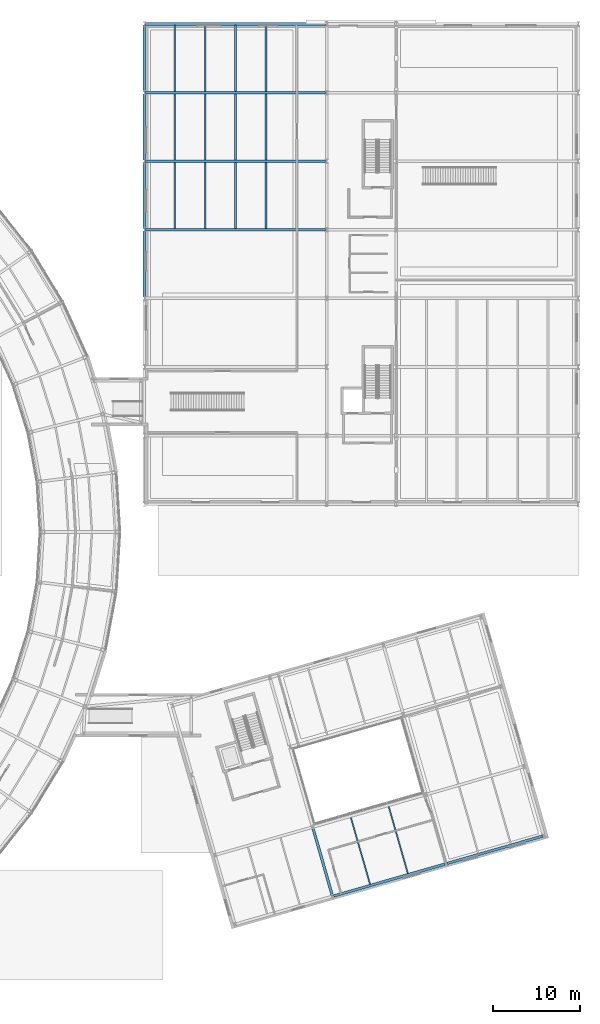
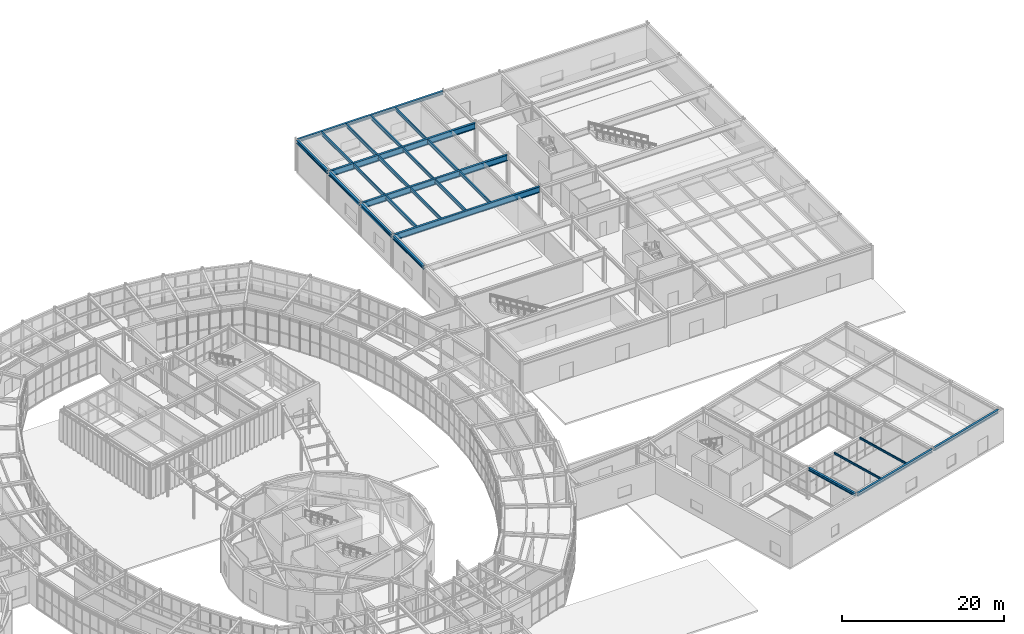
# One storey, part 52 of 97: 25 beams.
"""IFC4 building model written with IfcOpenShell, lengths in metres."""

from ifc_helpers import new_model, si_unit, direction, frame, origin, origin_2d, place, context, subcontext, project, spatial, i_section, extrude, material, material_profile, profile_set, type_object, element, save


model = new_model("IFC4")

# Units and contexts
model_context = context("Model", 3, precision=1e-05, world=origin(), true_north=direction((0.0, 1.0)))
body_context = subcontext(model_context, "Body", "Model", "MODEL_VIEW")
ifc_project = project(units=[si_unit("LENGTHUNIT", "METRE"), si_unit("AREAUNIT", "SQUARE_METRE"), si_unit("VOLUMEUNIT", "CUBIC_METRE"), si_unit("PLANEANGLEUNIT", "RADIAN"), si_unit("MASSUNIT", "GRAM", prefix="KILO")], contexts=[model_context])

# Site, building, storey
site_placement = place(None, origin())
site = spatial("IfcSite", under=ifc_project, at=site_placement, CompositionType="ELEMENT")
building_placement = place(site_placement, origin())
building = spatial("IfcBuilding", under=site, at=building_placement, Name="Varnklinge Art Gallery", CompositionType="ELEMENT")
storey_placement = place(building_placement, origin())
storey = spatial("IfcBuildingStorey", under=building, at=storey_placement, Name="L00", CompositionType="ELEMENT", Elevation=0.0)

# Beams
ifc_material_1 = material(Name="Steel S355", Category="steel")
ifc_material_profile_1 = material_profile(ifc_material_1, i_section(OverallWidth=0.300048828125, OverallDepth=0.89990234375, WebThickness=0.0185546875, FlangeThickness=0.034912109375, FilletRadius=0.030029296875, at=origin_2d()), Name="HEB 900")
ifc_profile_set_1 = profile_set([ifc_material_profile_1], Name="Steel S355")
beam_type_1 = type_object("IfcBeamType", Name="BM-02", PredefinedType="BEAM", material=ifc_profile_set_1)
for number, where, z_axis, x_axis, name in (
    (1, (114.5400390625, 89.800048828125, 4.429931640625), (1.0, 0.0, 0.0), (0.0, 1.0, 0.0), "L00 BM-02 BM-V1-L01-X4-0"),
    (2, (114.5400390625, 97.699951171875, 4.429931640625), (1.0, 0.0, 0.0), (0.0, 1.0, 0.0), "L00 BM-02 BM-V1-L01-X5-0"),
    (3, (114.5400390625, 105.60009765625, 4.429931640625), (1.0, 0.0, 0.0), (0.0, 1.0, 0.0), "L00 BM-02 BM-V1-L01-X6-0"),
):
    element("IfcBeam", number, at=place(storey_placement, frame(where, z_axis=z_axis, x_axis=x_axis)), inside=storey, type_object=beam_type_1, Name=name, PredefinedType="BEAM", context=body_context, shape_type="SweptSolid", body=[
        extrude(i_section(OverallWidth=0.300048828125, OverallDepth=0.89990234375, WebThickness=0.0185546875, FlangeThickness=0.034912109375, FilletRadius=0.030029296875, at=origin_2d()), origin(), (0.0, 0.0, 1.0), 20.719970703125),
    ])
ifc_material_2 = material(Name="Steel S355", Category="steel")
ifc_material_profile_2 = material_profile(ifc_material_2, i_section(OverallWidth=0.300048828125, OverallDepth=0.489990234375, WebThickness=0.011962890625, FlangeThickness=0.02294921875, FilletRadius=0.027099609375, at=origin_2d()), Name="HEA 500")
ifc_profile_set_2 = profile_set([ifc_material_profile_2], Name="Steel S355")
beam_type_2 = type_object("IfcBeamType", Name="BM-07", PredefinedType="BEAM", material=ifc_profile_set_2)
beam_1_placement = place(storey_placement, frame((136.208984375, 13.07177734375, 4.635009765625), z_axis=(0.961262060229, 0.275636085381, 0.0), x_axis=(-0.275636085381, 0.961262060229, 0.0)))
element("IfcBeam", 4, at=beam_1_placement, inside=storey, type_object=beam_type_2, Name="L00 BM-07 BM-V6-L01-U0-1", PredefinedType="BEAM", context=body_context, shape_type="SweptSolid", body=[
    extrude(i_section(OverallWidth=0.300048828125, OverallDepth=0.489990234375, WebThickness=0.011962890625, FlangeThickness=0.02294921875, FilletRadius=0.027099609375, at=origin_2d()), origin(), (0.0, 0.0, 1.0), 13.319580078125),
])
beam_2_placement = place(storey_placement, frame((149.281982421875, 16.8203125, 4.635009765625), z_axis=(0.961257274888, 0.275652773383, 0.0), x_axis=(-0.275652773383, 0.961257274888, 0.0)))
element("IfcBeam", 5, at=beam_2_placement, inside=storey, type_object=beam_type_2, Name="L00 BM-07 BM-V6-L01-U0-2", PredefinedType="BEAM", context=body_context, shape_type="SweptSolid", body=[
    extrude(i_section(OverallWidth=0.300048828125, OverallDepth=0.489990234375, WebThickness=0.011962890625, FlangeThickness=0.02294921875, FilletRadius=0.027099609375, at=origin_2d()), origin(), (0.0, 0.0, 1.0), 11.419921875),
])
ifc_material_3 = material(Name="Steel S355", Category="steel")
ifc_material_profile_3 = material_profile(ifc_material_3, i_section(OverallWidth=0.300048828125, OverallDepth=0.43994140625, WebThickness=0.011474609375, FlangeThickness=0.02099609375, FilletRadius=0.027099609375, at=origin_2d()), Name="HEA 450")
ifc_profile_set_3 = profile_set([ifc_material_profile_3], Name="Steel S355")
beam_type_3 = type_object("IfcBeamType", Name="BM-08", PredefinedType="BEAM", material=ifc_profile_set_3)
beam_3_placement = place(storey_placement, frame((136.03564453125, 13.167724609375, 4.659912109375), z_axis=(-0.275621630307, 0.961266205016, 0.0), x_axis=(-0.961266205016, -0.275621630307, 0.0)))
element("IfcBeam", 6, at=beam_3_placement, inside=storey, type_object=beam_type_3, Name="L00 BM-08 BM-V6-L01-V1-0", PredefinedType="BEAM", context=body_context, shape_type="SweptSolid", body=[
    extrude(i_section(OverallWidth=0.300048828125, OverallDepth=0.43994140625, WebThickness=0.011474609375, FlangeThickness=0.02099609375, FilletRadius=0.027099609375, at=origin_2d()), origin(), (0.0, 0.0, 1.0), 8.019775390625),
])
ifc_material_4 = material(Name="Steel S355", Category="steel")
ifc_material_profile_4 = material_profile(ifc_material_4, i_section(OverallWidth=0.199951171875, OverallDepth=0.5, WebThickness=0.01025390625, FlangeThickness=0.01611328125, FilletRadius=0.02099609375, at=origin_2d()), Name="IPE 500")
ifc_profile_set_4 = profile_set([ifc_material_profile_4], Name="Steel S355")
beam_type_4 = type_object("IfcBeamType", Name="JST-03", PredefinedType="JOIST", material=ifc_profile_set_4)
for number, where, z_axis, x_axis, name in (
    (7, (117.89990234375, 89.93994140625, 4.6298828125), (0.0, 1.0, 0.0), (-1.0, 0.0, 0.0), "L00 JST-03 JST-V1-L01-4-0-1"),
    (8, (121.39990234375, 89.93994140625, 4.6298828125), (0.0, 1.0, 0.0), (-1.0, 0.0, 0.0), "L00 JST-03 JST-V1-L01-4-0-2"),
    (9, (124.89990234375, 89.93994140625, 4.6298828125), (0.0, 1.0, 0.0), (-1.0, 0.0, 0.0), "L00 JST-03 JST-V1-L01-4-0-3"),
    (10, (128.39990234375, 89.93994140625, 4.6298828125), (0.0, 1.0, 0.0), (-1.0, 0.0, 0.0), "L00 JST-03 JST-V1-L01-4-0-4"),
):
    element("IfcBeam", number, at=place(storey_placement, frame(where, z_axis=z_axis, x_axis=x_axis)), inside=storey, type_object=beam_type_4, Name=name, PredefinedType="JOIST", context=body_context, shape_type="SweptSolid", body=[
        extrude(i_section(OverallWidth=0.199951171875, OverallDepth=0.5, WebThickness=0.01025390625, FlangeThickness=0.01611328125, FilletRadius=0.02099609375, at=origin_2d()), origin(), (0.0, 0.0, 1.0), 7.6201171875),
    ])
for number, where, z_axis, x_axis, name in (
    (11, (117.89990234375, 97.840087890625, 4.6298828125), (0.0, 1.0, 0.0), (-1.0, 0.0, 0.0), "L00 JST-03 JST-V1-L01-5-0-1"),
    (12, (121.39990234375, 97.840087890625, 4.6298828125), (0.0, 1.0, 0.0), (-1.0, 0.0, 0.0), "L00 JST-03 JST-V1-L01-5-0-2"),
    (13, (124.89990234375, 97.840087890625, 4.6298828125), (0.0, 1.0, 0.0), (-1.0, 0.0, 0.0), "L00 JST-03 JST-V1-L01-5-0-3"),
    (14, (128.39990234375, 97.840087890625, 4.6298828125), (0.0, 1.0, 0.0), (-1.0, 0.0, 0.0), "L00 JST-03 JST-V1-L01-5-0-4"),
):
    element("IfcBeam", number, at=place(storey_placement, frame(where, z_axis=z_axis, x_axis=x_axis)), inside=storey, type_object=beam_type_4, Name=name, PredefinedType="JOIST", context=body_context, shape_type="SweptSolid", body=[
        extrude(i_section(OverallWidth=0.199951171875, OverallDepth=0.5, WebThickness=0.01025390625, FlangeThickness=0.01611328125, FilletRadius=0.02099609375, at=origin_2d()), origin(), (0.0, 0.0, 1.0), 7.619873046875),
    ])
for number, where, z_axis, x_axis, name in (
    (15, (117.89990234375, 105.739990234375, 4.6298828125), (0.0, 1.0, 0.0), (-1.0, 0.0, 0.0), "L00 JST-03 JST-V1-L01-6-0-1"),
    (16, (121.39990234375, 105.739990234375, 4.6298828125), (0.0, 1.0, 0.0), (-1.0, 0.0, 0.0), "L00 JST-03 JST-V1-L01-6-0-2"),
    (17, (124.89990234375, 105.739990234375, 4.6298828125), (0.0, 1.0, 0.0), (-1.0, 0.0, 0.0), "L00 JST-03 JST-V1-L01-6-0-3"),
    (18, (128.39990234375, 105.739990234375, 4.6298828125), (0.0, 1.0, 0.0), (-1.0, 0.0, 0.0), "L00 JST-03 JST-V1-L01-6-0-4"),
):
    element("IfcBeam", number, at=place(storey_placement, frame(where, z_axis=z_axis, x_axis=x_axis)), inside=storey, type_object=beam_type_4, Name=name, PredefinedType="JOIST", context=body_context, shape_type="SweptSolid", body=[
        extrude(i_section(OverallWidth=0.199951171875, OverallDepth=0.5, WebThickness=0.01025390625, FlangeThickness=0.01611328125, FilletRadius=0.02099609375, at=origin_2d()), origin(), (0.0, 0.0, 1.0), 7.6201171875),
    ])
ifc_material_5 = material(Name="Steel S355", Category="steel")
ifc_material_profile_5 = material_profile(ifc_material_5, i_section(OverallWidth=0.14990234375, OverallDepth=0.300048828125, WebThickness=0.007080078125, FlangeThickness=0.0107421875, FilletRadius=0.014892578125, at=origin_2d()), Name="IPE 300")
ifc_profile_set_5 = profile_set([ifc_material_profile_5], Name="Steel S355")
beam_type_5 = type_object("IfcBeamType", Name="JST-08", PredefinedType="JOIST", material=ifc_profile_set_5)
beam_4_placement = place(storey_placement, frame((140.393310546875, 14.417236328125, 4.72998046875), z_axis=(-0.275613565062, 0.961268517509, 0.0), x_axis=(-0.961268517509, -0.275613565062, 0.0)))
element("IfcBeam", 19, at=beam_4_placement, inside=storey, type_object=beam_type_5, Name="L00 JST-08 JST-V6-L01-1-0-1", PredefinedType="JOIST", context=body_context, shape_type="SweptSolid", body=[
    extrude(i_section(OverallWidth=0.14990234375, OverallDepth=0.300048828125, WebThickness=0.007080078125, FlangeThickness=0.0107421875, FilletRadius=0.014892578125, at=origin_2d()), origin(), (0.0, 0.0, 1.0), 8.02001953125),
])
beam_5_placement = place(storey_placement, frame((144.751220703125, 15.666748046875, 4.72998046875), z_axis=(-0.2756416934, 0.961260452146, 0.0), x_axis=(-0.961260452146, -0.2756416934, 0.0)))
element("IfcBeam", 20, at=beam_5_placement, inside=storey, type_object=beam_type_5, Name="L00 JST-08 JST-V6-L01-1-0-2", PredefinedType="JOIST", context=body_context, shape_type="SweptSolid", body=[
    extrude(i_section(OverallWidth=0.14990234375, OverallDepth=0.300048828125, WebThickness=0.007080078125, FlangeThickness=0.0107421875, FilletRadius=0.014892578125, at=origin_2d()), origin(), (0.0, 0.0, 1.0), 8.020263671875),
])
ifc_material_6 = material(Name="Steel S355", Category="steel")
ifc_material_profile_6 = material_profile(ifc_material_6, i_section(OverallWidth=0.300048828125, OverallDepth=0.489990234375, WebThickness=0.011962890625, FlangeThickness=0.02294921875, FilletRadius=0.027099609375, at=origin_2d()), Name="HEA 500")
ifc_profile_set_6 = profile_set([ifc_material_profile_6], Name="Steel S355")
beam_type_6 = type_object("IfcBeamType", Name="SPB-01", PredefinedType="SPANDREL", material=ifc_profile_set_6)
beam_6_placement = place(storey_placement, frame((114.5400390625, 113.5, 4.635009765625), z_axis=(1.0, 0.0, 0.0), x_axis=(0.0, 1.0, 0.0)))
element("IfcBeam", 21, at=beam_6_placement, inside=storey, type_object=beam_type_6, Name="L00 SPB-01 BM-V1-L01-X7-0", PredefinedType="SPANDREL", context=body_context, shape_type="SweptSolid", body=[
    extrude(i_section(OverallWidth=0.300048828125, OverallDepth=0.489990234375, WebThickness=0.011962890625, FlangeThickness=0.02294921875, FilletRadius=0.027099609375, at=origin_2d()), origin(), (0.0, 0.0, 1.0), 20.719970703125),
])
beam_7_placement = place(storey_placement, frame((114.39990234375, 82.0400390625, 4.635009765625), z_axis=(0.0, 1.0, 0.0), x_axis=(-1.0, 0.0, 0.0)))
element("IfcBeam", 22, at=beam_7_placement, inside=storey, type_object=beam_type_6, Name="L00 SPB-01 BM-V1-L01-Y0-3", PredefinedType="SPANDREL", context=body_context, shape_type="SweptSolid", body=[
    extrude(i_section(OverallWidth=0.300048828125, OverallDepth=0.489990234375, WebThickness=0.011962890625, FlangeThickness=0.02294921875, FilletRadius=0.027099609375, at=origin_2d()), origin(), (0.0, 0.0, 1.0), 7.619873046875),
])
beam_8_placement = place(storey_placement, frame((114.39990234375, 89.93994140625, 4.635009765625), z_axis=(0.0, 1.0, 0.0), x_axis=(-1.0, 0.0, 0.0)))
element("IfcBeam", 23, at=beam_8_placement, inside=storey, type_object=beam_type_6, Name="L00 SPB-01 BM-V1-L01-Y0-4", PredefinedType="SPANDREL", context=body_context, shape_type="SweptSolid", body=[
    extrude(i_section(OverallWidth=0.300048828125, OverallDepth=0.489990234375, WebThickness=0.011962890625, FlangeThickness=0.02294921875, FilletRadius=0.027099609375, at=origin_2d()), origin(), (0.0, 0.0, 1.0), 7.6201171875),
])
beam_9_placement = place(storey_placement, frame((114.39990234375, 97.840087890625, 4.635009765625), z_axis=(0.0, 1.0, 0.0), x_axis=(-1.0, 0.0, 0.0)))
element("IfcBeam", 24, at=beam_9_placement, inside=storey, type_object=beam_type_6, Name="L00 SPB-01 BM-V1-L01-Y0-5", PredefinedType="SPANDREL", context=body_context, shape_type="SweptSolid", body=[
    extrude(i_section(OverallWidth=0.300048828125, OverallDepth=0.489990234375, WebThickness=0.011962890625, FlangeThickness=0.02294921875, FilletRadius=0.027099609375, at=origin_2d()), origin(), (0.0, 0.0, 1.0), 7.619873046875),
])
beam_10_placement = place(storey_placement, frame((114.39990234375, 105.739990234375, 4.635009765625), z_axis=(0.0, 1.0, 0.0), x_axis=(-1.0, 0.0, 0.0)))
element("IfcBeam", 25, at=beam_10_placement, inside=storey, type_object=beam_type_6, Name="L00 SPB-01 BM-V1-L01-Y0-6", PredefinedType="SPANDREL", context=body_context, shape_type="SweptSolid", body=[
    extrude(i_section(OverallWidth=0.300048828125, OverallDepth=0.489990234375, WebThickness=0.011962890625, FlangeThickness=0.02294921875, FilletRadius=0.027099609375, at=origin_2d()), origin(), (0.0, 0.0, 1.0), 7.6201171875),
])

save(model, "model.ifc")
